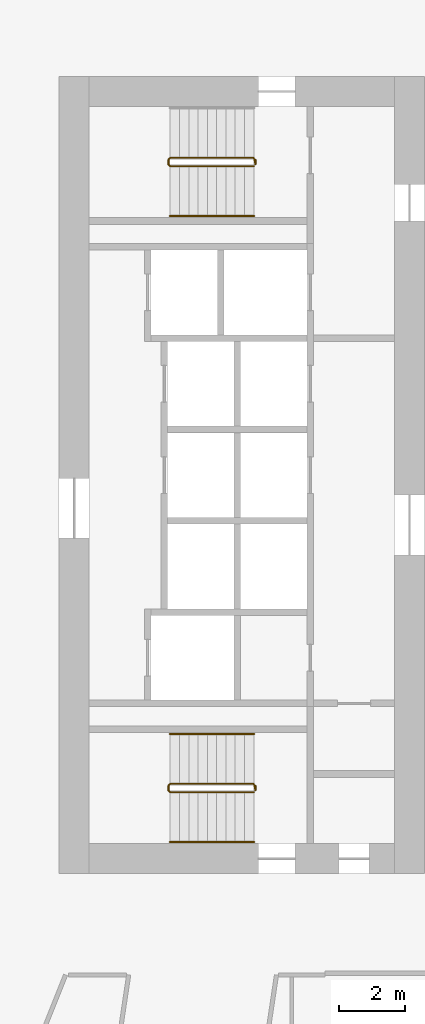
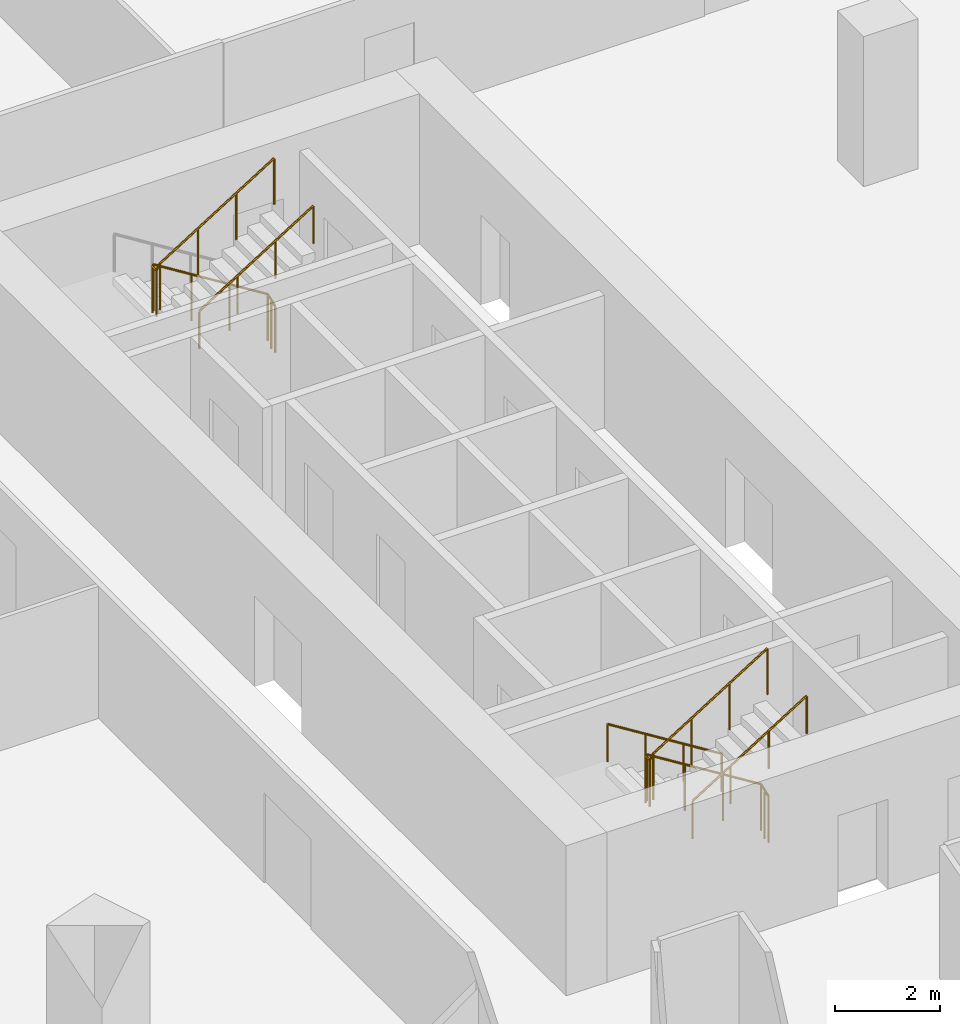
# One storey, part 34 of 38: 5 railings.
"""IFC4 building model written with IfcOpenShell, lengths in metres."""

from ifc_helpers import new_model, si_unit, direction, frame, origin, origin_2d, place, context, subcontext, project, spatial, circle, extrude, material, type_object, element, save


model = new_model("IFC4")

# Units and contexts
model_context = context("Model", 3, precision=1e-05, world=origin(), true_north=direction((0.0, 1.0)))
body_context = subcontext(model_context, "Body", "Model", "MODEL_VIEW")
ifc_project = project(units=[si_unit("LENGTHUNIT", "METRE"), si_unit("AREAUNIT", "SQUARE_METRE"), si_unit("VOLUMEUNIT", "CUBIC_METRE"), si_unit("PLANEANGLEUNIT", "RADIAN"), si_unit("MASSUNIT", "GRAM", prefix="KILO")], contexts=[model_context])

# Site, building, storey
site_placement = place(None, origin())
site = spatial("IfcSite", under=ifc_project, at=site_placement, CompositionType="ELEMENT")
building_placement = place(site_placement, origin())
building = spatial("IfcBuilding", under=site, at=building_placement, Name="Orlundy Tower", CompositionType="ELEMENT")
storey_placement = place(building_placement, frame((0.0, 0.0, 65.800048828125)))
storey = spatial("IfcBuildingStorey", under=building, at=storey_placement, Name="L15", CompositionType="ELEMENT", Elevation=65.800048828125)

# Railings
ifc_material_1 = material(Name="Steel balustrade", Category="steel")
railing_type_1 = type_object("IfcRailingType", Name="Stair Guard 1100", PredefinedType="GUARDRAIL", material=ifc_material_1)
railing_1_placement = place(storey_placement, frame((-13.090087890625, 9.5, 0.0)))
element("IfcRailing", 1, at=railing_1_placement, inside=storey, type_object=railing_type_1, Name="L15 ST-W1 stair guard 1", PredefinedType="GUARDRAIL", context=body_context, shape_type="SweptSolid", body=[
    extrude(circle(Radius=0.02392578125, at=origin_2d()), frame((0.0, 0.0, 1.076171875), z_axis=(0.0, -1.0, 0.0), x_axis=(1.0, 0.0, 0.0)), (0.0, 0.0, 1.0), 0.14990234375),
    extrude(circle(Radius=0.02392578125, at=origin_2d()), frame((0.0, -0.14990234375, 1.076171875), z_axis=(-0.18420542264, 0.739530593833, 0.647427882513), x_axis=(-0.970351222016, -0.241699205484, 0.0)), (0.0, 0.0, 1.0), 0.270263671875),
    extrude(circle(Radius=0.02392578125, at=origin_2d()), frame((-0.0498046875, 0.050048828125, 1.2509765625), z_axis=(-0.848007534815, 0.0, 0.529984170421), x_axis=(0.0, -1.0, 0.0)), (0.0, 0.0, 1.0), 2.9716796875),
    extrude(circle(Radius=0.02392578125, at=origin_2d()), frame((-2.56982421875, 0.050048828125, 2.826171875), z_axis=(-0.707106781187, -0.707106781187, 0.0), x_axis=(0.707106781187, -0.707106781187, 0.0)), (0.0, 0.0, 1.0), 0.07080078125),
    extrude(circle(Radius=0.02392578125, at=origin_2d()), frame((-2.619873046875, 0.0, 2.826171875), z_axis=(0.0, -1.0, 0.0), x_axis=(1.0, 0.0, 0.0)), (0.0, 0.0, 1.0), 0.14990234375),
    extrude(circle(Radius=0.02392578125, at=origin_2d()), frame((-2.619873046875, -0.14990234375, 2.826171875), z_axis=(0.265065253269, -0.265065253269, 0.927081885822), x_axis=(0.707106781187, 0.707106781187, 0.0)), (0.0, 0.0, 1.0), 0.188720703125),
    extrude(circle(Radius=0.02392578125, at=origin_2d()), frame((-2.56982421875, -0.199951171875, 3.0009765625), z_axis=(0.848007534815, 0.0, 0.529984170421), x_axis=(0.0, 1.0, 0.0)), (0.0, 0.0, 1.0), 2.9716796875),
    extrude(circle(Radius=0.02099609375, at=origin_2d()), origin(), (0.0, 0.0, 1.0), 1.052001953125),
    extrude(circle(Radius=0.02099609375, at=origin_2d()), frame((0.0, -0.14990234375, 0.0)), (0.0, 0.0, 1.0), 1.052001953125),
    extrude(circle(Radius=0.02099609375, at=origin_2d()), frame((-0.0498046875, 0.050048828125, 0.175048828125)), (0.0, 0.0, 1.0), 1.052001953125),
    extrude(circle(Radius=0.02099609375, at=origin_2d()), frame((-0.889892578125, 0.050048828125, 0.699951171875)), (0.0, 0.0, 1.0), 1.052001953125),
    extrude(circle(Radius=0.02099609375, at=origin_2d()), frame((-1.729736328125, 0.050048828125, 1.22509765625)), (0.0, 0.0, 1.0), 1.052001953125),
    extrude(circle(Radius=0.02099609375, at=origin_2d()), frame((-2.56982421875, 0.050048828125, 1.75)), (0.0, 0.0, 1.0), 1.052001953125),
    extrude(circle(Radius=0.02099609375, at=origin_2d()), frame((-2.619873046875, 0.0, 1.75)), (0.0, 0.0, 1.0), 1.052001953125),
    extrude(circle(Radius=0.02099609375, at=origin_2d()), frame((-2.619873046875, -0.14990234375, 1.75)), (0.0, 0.0, 1.0), 1.052001953125),
    extrude(circle(Radius=0.02099609375, at=origin_2d()), frame((-2.56982421875, -0.199951171875, 1.925048828125)), (0.0, 0.0, 1.0), 1.052001953125),
    extrude(circle(Radius=0.02099609375, at=origin_2d()), frame((-1.729736328125, -0.199951171875, 2.449951171875)), (0.0, 0.0, 1.0), 1.052001953125),
    extrude(circle(Radius=0.02099609375, at=origin_2d()), frame((-0.889892578125, -0.199951171875, 2.97509765625)), (0.0, 0.0, 1.0), 1.052001953125),
    extrude(circle(Radius=0.02099609375, at=origin_2d()), frame((-0.0498046875, -0.199951171875, 3.5)), (0.0, 0.0, 1.0), 1.052001953125),
])
railing_2_placement = place(storey_placement, frame((-13.090087890625, -9.35009765625, 0.0)))
element("IfcRailing", 2, at=railing_2_placement, inside=storey, type_object=railing_type_1, Name="L15 ST-W2 stair guard 1", PredefinedType="GUARDRAIL", context=body_context, shape_type="SweptSolid", body=[
    extrude(circle(Radius=0.02392578125, at=origin_2d()), frame((0.0, 0.0, 1.076171875), z_axis=(0.0, -1.0, 0.0), x_axis=(1.0, 0.0, 0.0)), (0.0, 0.0, 1.0), 0.14990234375),
    extrude(circle(Radius=0.02392578125, at=origin_2d()), frame((0.0, -0.14990234375, 1.076171875), z_axis=(-0.18420542264, 0.739530593833, 0.647427882513), x_axis=(-0.970351222016, -0.241699205484, 0.0)), (0.0, 0.0, 1.0), 0.270263671875),
    extrude(circle(Radius=0.02392578125, at=origin_2d()), frame((-0.0498046875, 0.050048828125, 1.2509765625), z_axis=(-0.848007534815, 0.0, 0.529984170421), x_axis=(0.0, -1.0, 0.0)), (0.0, 0.0, 1.0), 2.9716796875),
    extrude(circle(Radius=0.02392578125, at=origin_2d()), frame((-2.56982421875, 0.050048828125, 2.826171875), z_axis=(-0.707106781187, -0.707106781187, 0.0), x_axis=(0.707106781187, -0.707106781187, 0.0)), (0.0, 0.0, 1.0), 0.07080078125),
    extrude(circle(Radius=0.02392578125, at=origin_2d()), frame((-2.619873046875, 0.0, 2.826171875), z_axis=(0.0, -1.0, 0.0), x_axis=(1.0, 0.0, 0.0)), (0.0, 0.0, 1.0), 0.14990234375),
    extrude(circle(Radius=0.02392578125, at=origin_2d()), frame((-2.619873046875, -0.14990234375, 2.826171875), z_axis=(0.265065253269, -0.265065253269, 0.927081885822), x_axis=(0.707106781187, 0.707106781187, 0.0)), (0.0, 0.0, 1.0), 0.188720703125),
    extrude(circle(Radius=0.02392578125, at=origin_2d()), frame((-2.56982421875, -0.199951171875, 3.0009765625), z_axis=(0.848007534815, 0.0, 0.529984170421), x_axis=(0.0, 1.0, 0.0)), (0.0, 0.0, 1.0), 2.9716796875),
    extrude(circle(Radius=0.02099609375, at=origin_2d()), origin(), (0.0, 0.0, 1.0), 1.052001953125),
    extrude(circle(Radius=0.02099609375, at=origin_2d()), frame((0.0, -0.14990234375, 0.0)), (0.0, 0.0, 1.0), 1.052001953125),
    extrude(circle(Radius=0.02099609375, at=origin_2d()), frame((-0.0498046875, 0.050048828125, 0.175048828125)), (0.0, 0.0, 1.0), 1.052001953125),
    extrude(circle(Radius=0.02099609375, at=origin_2d()), frame((-0.889892578125, 0.050048828125, 0.699951171875)), (0.0, 0.0, 1.0), 1.052001953125),
    extrude(circle(Radius=0.02099609375, at=origin_2d()), frame((-1.729736328125, 0.050048828125, 1.22509765625)), (0.0, 0.0, 1.0), 1.052001953125),
    extrude(circle(Radius=0.02099609375, at=origin_2d()), frame((-2.56982421875, 0.050048828125, 1.75)), (0.0, 0.0, 1.0), 1.052001953125),
    extrude(circle(Radius=0.02099609375, at=origin_2d()), frame((-2.619873046875, 0.0, 1.75)), (0.0, 0.0, 1.0), 1.052001953125),
    extrude(circle(Radius=0.02099609375, at=origin_2d()), frame((-2.619873046875, -0.14990234375, 1.75)), (0.0, 0.0, 1.0), 1.052001953125),
    extrude(circle(Radius=0.02099609375, at=origin_2d()), frame((-2.56982421875, -0.199951171875, 1.925048828125)), (0.0, 0.0, 1.0), 1.052001953125),
    extrude(circle(Radius=0.02099609375, at=origin_2d()), frame((-1.729736328125, -0.199951171875, 2.449951171875)), (0.0, 0.0, 1.0), 1.052001953125),
    extrude(circle(Radius=0.02099609375, at=origin_2d()), frame((-0.889892578125, -0.199951171875, 2.97509765625)), (0.0, 0.0, 1.0), 1.052001953125),
    extrude(circle(Radius=0.02099609375, at=origin_2d()), frame((-0.0498046875, -0.199951171875, 3.5)), (0.0, 0.0, 1.0), 1.052001953125),
])
ifc_material_2 = material(Name="Steel handrail", Category="steel")
railing_type_2 = type_object("IfcRailingType", Name="Stair Handrail 900", PredefinedType="HANDRAIL", material=ifc_material_2)
railing_3_placement = place(storey_placement, frame((-15.659912109375, 7.800048828125, 1.925048828125)))
element("IfcRailing", 3, at=railing_3_placement, inside=storey, type_object=railing_type_2, Name="L15 ST-W1 stair handrail 2", PredefinedType="HANDRAIL", context=body_context, shape_type="SweptSolid", body=[
    extrude(circle(Radius=0.02392578125, at=origin_2d()), frame((0.0, 0.0, 0.8759765625), z_axis=(0.848007534815, 0.0, 0.529984170421), x_axis=(0.0, 1.0, 0.0)), (0.0, 0.0, 1.0), 2.9716796875),
    extrude(circle(Radius=0.02099609375, at=origin_2d()), origin(), (0.0, 0.0, 1.0), 0.851806640625),
    extrude(circle(Radius=0.02099609375, at=origin_2d()), frame((0.840087890625, 0.0, 0.52490234375)), (0.0, 0.0, 1.0), 0.851806640625),
    extrude(circle(Radius=0.02099609375, at=origin_2d()), frame((1.679931640625, 0.0, 1.050048828125)), (0.0, 0.0, 1.0), 0.851806640625),
    extrude(circle(Radius=0.02099609375, at=origin_2d()), frame((2.52001953125, 0.0, 1.574951171875)), (0.0, 0.0, 1.0), 0.851806640625),
])
railing_4_placement = place(storey_placement, frame((-13.139892578125, -7.800048828125, 0.175048828125)))
element("IfcRailing", 4, at=railing_4_placement, inside=storey, type_object=railing_type_2, Name="L15 ST-W2 stair handrail 1", PredefinedType="HANDRAIL", context=body_context, shape_type="SweptSolid", body=[
    extrude(circle(Radius=0.02392578125, at=origin_2d()), frame((0.0, 0.0, 0.8759765625), z_axis=(-0.848007534815, 0.0, 0.529984170421), x_axis=(0.0, -1.0, 0.0)), (0.0, 0.0, 1.0), 2.9716796875),
    extrude(circle(Radius=0.02099609375, at=origin_2d()), origin(), (0.0, 0.0, 1.0), 0.851806640625),
    extrude(circle(Radius=0.02099609375, at=origin_2d()), frame((-0.840087890625, 0.0, 0.52490234375)), (0.0, 0.0, 1.0), 0.851806640625),
    extrude(circle(Radius=0.02099609375, at=origin_2d()), frame((-1.679931640625, 0.0, 1.050048828125)), (0.0, 0.0, 1.0), 0.851806640625),
    extrude(circle(Radius=0.02099609375, at=origin_2d()), frame((-2.52001953125, 0.0, 1.574951171875)), (0.0, 0.0, 1.0), 0.851806640625),
])
railing_5_placement = place(storey_placement, frame((-15.659912109375, -11.050048828125, 1.925048828125)))
element("IfcRailing", 5, at=railing_5_placement, inside=storey, type_object=railing_type_2, Name="L15 ST-W2 stair handrail 2", PredefinedType="HANDRAIL", context=body_context, shape_type="SweptSolid", body=[
    extrude(circle(Radius=0.02392578125, at=origin_2d()), frame((0.0, 0.0, 0.8759765625), z_axis=(0.848007534815, 0.0, 0.529984170421), x_axis=(0.0, 1.0, 0.0)), (0.0, 0.0, 1.0), 2.9716796875),
    extrude(circle(Radius=0.02099609375, at=origin_2d()), origin(), (0.0, 0.0, 1.0), 0.851806640625),
    extrude(circle(Radius=0.02099609375, at=origin_2d()), frame((0.840087890625, 0.0, 0.52490234375)), (0.0, 0.0, 1.0), 0.851806640625),
    extrude(circle(Radius=0.02099609375, at=origin_2d()), frame((1.679931640625, 0.0, 1.050048828125)), (0.0, 0.0, 1.0), 0.851806640625),
    extrude(circle(Radius=0.02099609375, at=origin_2d()), frame((2.52001953125, 0.0, 1.574951171875)), (0.0, 0.0, 1.0), 0.851806640625),
])

save(model, "model.ifc")
